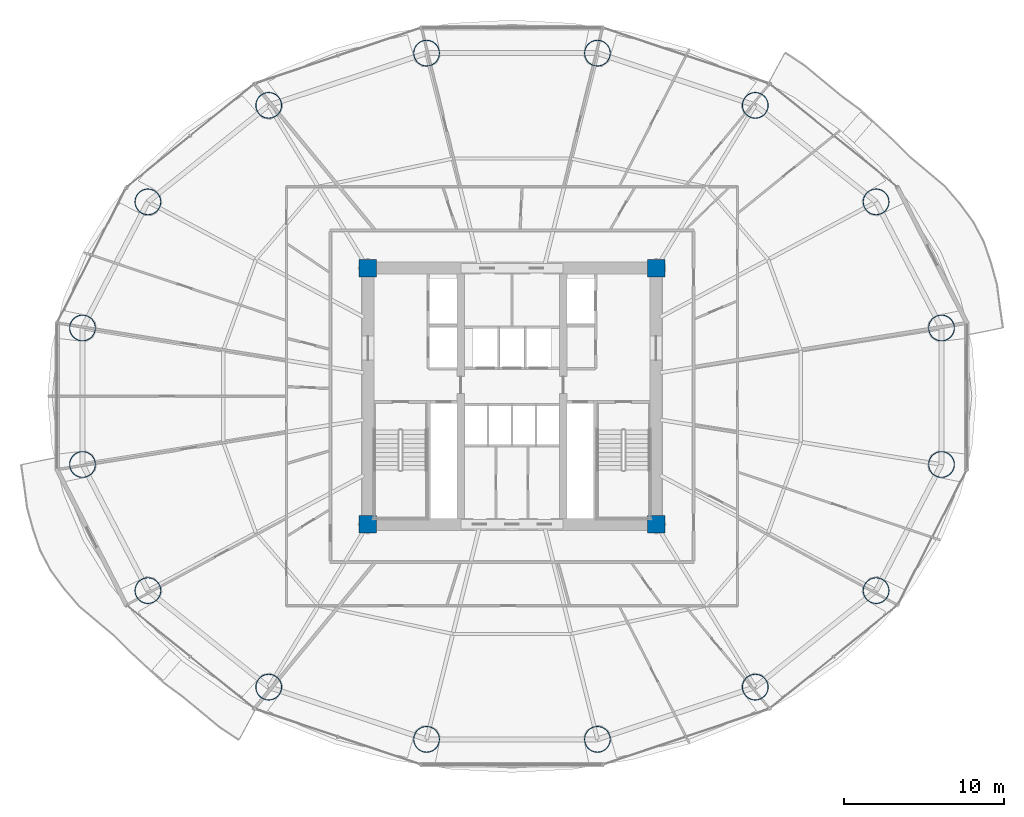
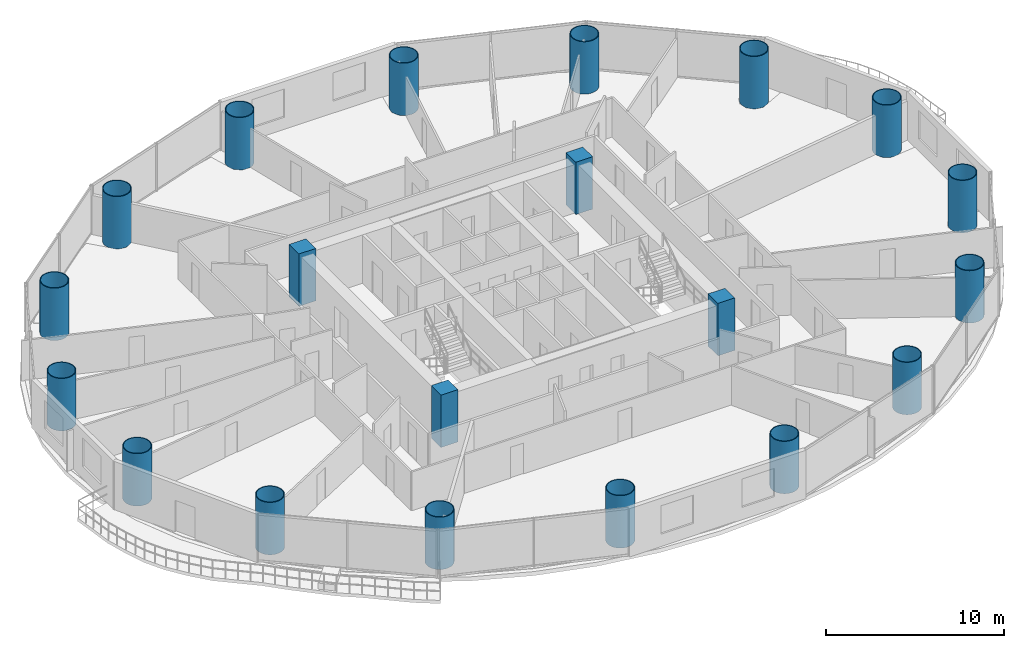
# One storey, part 1 of 28: 20 columns.
"""IFC4 building model written with IfcOpenShell, lengths in metres."""

from ifc_helpers import new_model, si_unit, direction, frame, origin, origin_2d, place, context, subcontext, project, spatial, rectangle, hollow_circle, extrude, material, material_profile, profile_set, type_object, element, save


model = new_model("IFC4")

# Units and contexts
model_context = context("Model", 3, precision=1e-05, world=origin(), true_north=direction((-0.2419218956, 0.970295726276)))
body_context = subcontext(model_context, "Body", "Model", "MODEL_VIEW")
ifc_project = project(units=[si_unit("LENGTHUNIT", "METRE"), si_unit("AREAUNIT", "SQUARE_METRE"), si_unit("VOLUMEUNIT", "CUBIC_METRE"), si_unit("PLANEANGLEUNIT", "RADIAN"), si_unit("MASSUNIT", "GRAM", prefix="KILO")], contexts=[model_context])

# Site, building, storey
site_placement = place(None, origin())
site = spatial("IfcSite", under=ifc_project, at=site_placement, CompositionType="ELEMENT")
building_placement = place(site_placement, origin())
building = spatial("IfcBuilding", under=site, at=building_placement, Name="Cobrevalo Terracotta Tower", CompositionType="ELEMENT")
storey_placement = place(building_placement, frame((0.0, 0.0, 42.0)))
storey = spatial("IfcBuildingStorey", under=building, at=storey_placement, Name="L10", CompositionType="ELEMENT", Elevation=42.0)

# Columns
ifc_material_1 = material(Name="Steel S355", Category="steel")
ifc_material_profile_1 = material_profile(ifc_material_1, hollow_circle(Radius=0.824951171875, WallThickness=0.050048828125, at=origin_2d()), Name="CHS 1650x50")
ifc_profile_set_1 = profile_set([ifc_material_profile_1], Name="Steel S355")
column_type_1 = type_object("IfcColumnType", Name="Structural Column CHS 1650x50 (Steel S355)", PredefinedType="COLUMN", material=ifc_profile_set_1)
for number, where, z_axis, x_axis, name in (
    (1, (64.824462890625, 31.062744140625, 0.0), (0.0, 0.0, 1.0), (1.0, 0.0, 0.0), "L10 composite megacolumn MC01"),
    (2, (60.74072265625, 38.939208984375, 0.0), (0.0, 0.0, 1.0), (1.0, 0.0, 0.0), "L10 composite megacolumn MC02"),
    (3, (53.19482421875, 44.967529296875, 0.0), (0.0, 0.0, 1.0), (1.0, 0.0, 0.0), "L10 composite megacolumn MC03"),
    (4, (43.335693359375, 48.230224609375, 0.0), (0.0, 0.0, 1.0), (1.0, 0.0, 0.0), "L10 composite megacolumn MC04"),
    (5, (32.664306640625, 48.230224609375, 0.0), (0.0, 0.0, 1.0), (1.0, 0.0, 0.0), "L10 composite megacolumn MC05"),
    (6, (22.80517578125, 44.967529296875, 0.0), (0.0, 0.0, 1.0), (1.0, 0.0, 0.0), "L10 composite megacolumn MC06"),
    (7, (15.25927734375, 38.939208984375, 0.0), (0.0, 0.0, 1.0), (1.0, 0.0, 0.0), "L10 composite megacolumn MC07"),
    (8, (11.175537109375, 31.062744140625, 0.0), (0.0, 0.0, 1.0), (1.0, 0.0, 0.0), "L10 composite megacolumn MC08"),
    (9, (11.175537109375, 22.537353515625, 0.0), (0.0, 0.0, 1.0), (1.0, 0.0, 0.0), "L10 composite megacolumn MC09"),
    (10, (15.25927734375, 14.660888671875, 0.0), (0.0, 0.0, 1.0), (1.0, 0.0, 0.0), "L10 composite megacolumn MC10"),
    (11, (22.80517578125, 8.63232421875, 0.0), (0.0, 0.0, 1.0), (1.0, 0.0, 0.0), "L10 composite megacolumn MC11"),
    (12, (32.664306640625, 5.369873046875, 0.0), (0.0, 0.0, 1.0), (1.0, 0.0, 0.0), "L10 composite megacolumn MC12"),
    (13, (43.335693359375, 5.369873046875, 0.0), (0.0, 0.0, 1.0), (1.0, 0.0, 0.0), "L10 composite megacolumn MC13"),
    (14, (53.19482421875, 8.63232421875, 0.0), (0.0, 0.0, 1.0), (1.0, 0.0, 0.0), "L10 composite megacolumn MC14"),
    (15, (60.74072265625, 14.660888671875, 0.0), (0.0, 0.0, 1.0), (1.0, 0.0, 0.0), "L10 composite megacolumn MC15"),
    (16, (64.824462890625, 22.537353515625, 0.0), (0.0, 0.0, 1.0), (1.0, 0.0, 0.0), "L10 composite megacolumn MC16"),
):
    element("IfcColumn", number, at=place(storey_placement, frame(where, z_axis=z_axis, x_axis=x_axis)), inside=storey, type_object=column_type_1, Name=name, PredefinedType="COLUMN", context=body_context, shape_type="SweptSolid", body=[
        extrude(hollow_circle(Radius=0.824951171875, WallThickness=0.050048828125, at=origin_2d()), origin(), (0.0, 0.0, 1.0), 3.60009765625),
    ])
ifc_material_2 = material(Name="Concrete C60", Category="concrete")
ifc_material_profile_2 = material_profile(ifc_material_2, rectangle(XDim=1.10009765625, YDim=1.10009765625, at=origin_2d()), Name="RC COL 1100x1100")
ifc_profile_set_2 = profile_set([ifc_material_profile_2], Name="Concrete C60")
column_type_2 = type_object("IfcColumnType", Name="Structural Column RC COL 1100x1100 (Concrete C60)", PredefinedType="COLUMN", material=ifc_profile_set_2)
for number, where, z_axis, x_axis, name in (
    (17, (29.0, 18.800048828125, 0.0), (0.0, 0.0, 1.0), (1.0, 0.0, 0.0), "L10 core corner column CC1"),
    (18, (47.0, 18.800048828125, 0.0), (0.0, 0.0, 1.0), (1.0, 0.0, 0.0), "L10 core corner column CC2"),
    (19, (47.0, 34.800048828125, 0.0), (0.0, 0.0, 1.0), (1.0, 0.0, 0.0), "L10 core corner column CC3"),
    (20, (29.0, 34.800048828125, 0.0), (0.0, 0.0, 1.0), (1.0, 0.0, 0.0), "L10 core corner column CC4"),
):
    element("IfcColumn", number, at=place(storey_placement, frame(where, z_axis=z_axis, x_axis=x_axis)), inside=storey, type_object=column_type_2, Name=name, PredefinedType="COLUMN", context=body_context, shape_type="SweptSolid", body=[
        extrude(rectangle(XDim=1.10009765625, YDim=1.10009765625, at=origin_2d()), origin(), (0.0, 0.0, 1.0), 3.60009765625),
    ])

save(model, "model.ifc")
